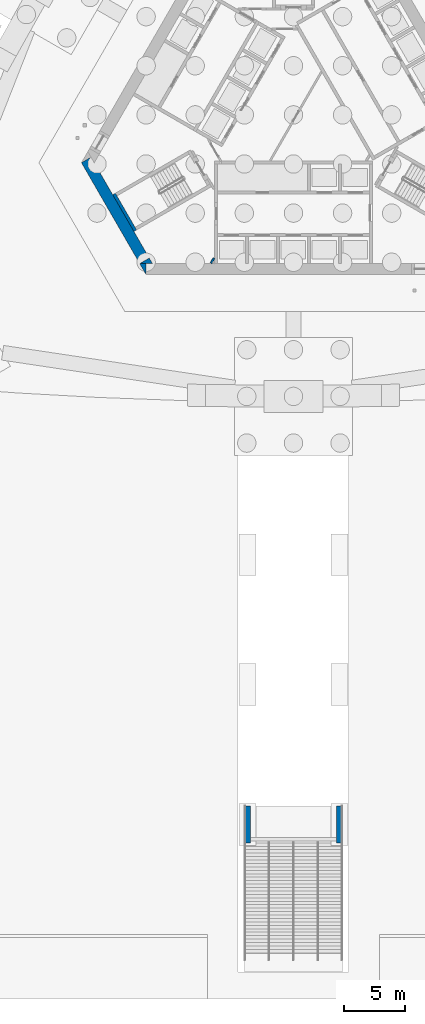
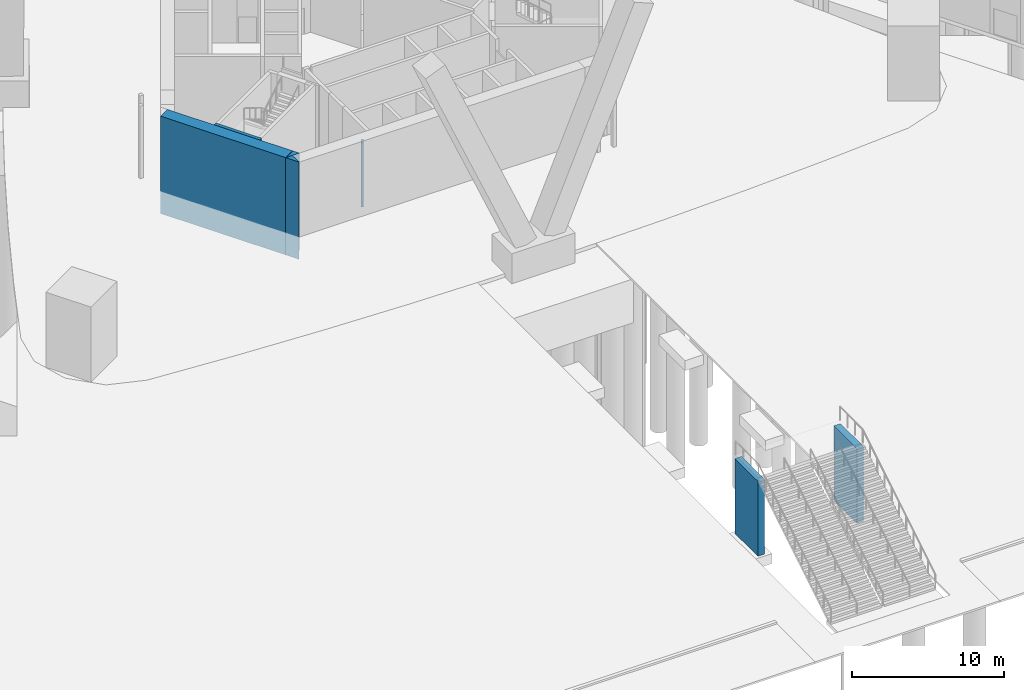
# One storey, part 11 of 38: 7 walls.
"""IFC4 building model written with IfcOpenShell, lengths in metres."""

from ifc_helpers import new_model, si_unit, direction, frame, frame_2d, origin, place, context, subcontext, project, spatial, polyline, rectangle, outline, extrude, material, layer, layer_set, type_object, element, save


model = new_model("IFC4")

# Units and contexts
model_context = context("Model", 3, precision=1e-05, world=origin(), true_north=direction((0.0, 1.0)))
body_context = subcontext(model_context, "Body", "Model", "MODEL_VIEW")
ifc_project = project(units=[si_unit("LENGTHUNIT", "METRE"), si_unit("AREAUNIT", "SQUARE_METRE"), si_unit("VOLUMEUNIT", "CUBIC_METRE"), si_unit("PLANEANGLEUNIT", "RADIAN"), si_unit("MASSUNIT", "GRAM", prefix="KILO")], contexts=[model_context])

# Site, building, storey
site_placement = place(None, origin())
site = spatial("IfcSite", under=ifc_project, at=site_placement, CompositionType="ELEMENT")
building_placement = place(site_placement, origin())
building = spatial("IfcBuilding", under=site, at=building_placement, Name="Mestral Congress Tower", CompositionType="ELEMENT")
storey_placement = place(building_placement, origin())
storey = spatial("IfcBuildingStorey", under=building, at=storey_placement, Name="L00", CompositionType="ELEMENT", Elevation=0.0)

# Walls
ifc_material_1 = material(Name="Fire-rated board partition")
ifc_layer_1 = layer(ifc_material_1, 0.14990234375)
ifc_layer_set_1 = layer_set([ifc_layer_1], Name="Fire-rated board partition")
wall_type_1 = type_object("IfcWallType", Name="Core partition 150", PredefinedType="PARTITIONING", material=ifc_layer_set_1)
wall_1_placement = place(storey_placement, frame((-6.707763671875, -12.068115234375, 0.0), z_axis=(0.0, 0.0, 1.0), x_axis=(0.500000789788, 0.8660249478, 0.0)))
element("IfcWall", 1, at=wall_1_placement, inside=storey, type_object=wall_type_1, Name="L00 core wall", PredefinedType="PARTITIONING", context=body_context, shape_type="SweptSolid", body=[
    extrude(rectangle(XDim=0.45556640625, YDim=0.14990234375, at=frame_2d((0.227783203125, 0.0))), origin(), (0.0, 0.0, 1.0), 5.10009765625),
])
ifc_material_2 = material(Name="Concrete C60/75", Category="concrete")
ifc_layer_2 = layer(ifc_material_2, 0.89990234375)
ifc_layer_set_2 = layer_set([ifc_layer_2], Name="Concrete C60/75")
wall_type_2 = type_object("IfcWallType", Name="Core wall RC 900", PredefinedType="SOLIDWALL", material=ifc_layer_set_2)
placement = place(storey_placement, frame((0.0, 0.0, -1.800048828125)))
element("IfcWall", 2, at=placement, inside=storey, type_object=wall_type_2, Name="L00 core wall", PredefinedType="SOLIDWALL", context=body_context, shape_type="SweptSolid", body=[
    extrude(outline(polyline([(-12.528564453125, -12.10009765625), (-12.0205078125, -12.10009765625), (-12.0205078125, -12.97998046875), (-12.528564453125, -12.10009765625)])), origin(), (0.0, 0.0, 1.0), 7.800048828125),
])
wall_3_placement = place(storey_placement, frame((-12.134033203125, -11.88330078125, -1.800048828125), z_axis=(0.0, 0.0, 1.0), x_axis=(-0.500005339912, 0.866022320763, 0.0)))
element("IfcWall", 3, at=wall_3_placement, inside=storey, type_object=wall_type_2, Name="L00 core wall", PredefinedType="SOLIDWALL", context=body_context, shape_type="SweptSolid", body=[
    extrude(rectangle(XDim=9.48779296875, YDim=0.89990234375, at=frame_2d((4.743896484375, 0.0))), origin(), (0.0, 0.0, 1.0), 7.800048828125),
])
element("IfcWall", 4, at=placement, inside=storey, type_object=wall_type_2, Name="L00 core wall", PredefinedType="SOLIDWALL", context=body_context, shape_type="SweptSolid", body=[
    extrude(outline(polyline([(-11.4892578125, -12.10009765625), (-12.50537109375, -12.10009765625), (-11.743408203125, -11.66015625), (-11.4892578125, -12.10009765625)])), origin(), (0.0, 0.0, 1.0), 7.800048828125),
])
ifc_material_3 = material(Name="Concrete C35/45", Category="concrete")
ifc_layer_3 = layer(ifc_material_3, 0.5)
ifc_layer_set_3 = layer_set([ifc_layer_3], Name="Concrete C35/45")
wall_type_3 = type_object("IfcWallType", Name="Stair support wall 500 C35/45", PredefinedType="SOLIDWALL", material=ifc_layer_set_3)
for number, where, z_axis, x_axis, name in (
    (5, (-3.75, -59.2880859375, -0.300048828125), (0.0, 0.0, 1.0), (0.0, 1.0, 0.0), "WL-TERR-3-W"),
    (6, (3.75, -59.2880859375, -0.300048828125), (0.0, 0.0, 1.0), (0.0, 1.0, 0.0), "WL-TERR-3-E"),
):
    element("IfcWall", number, at=place(storey_placement, frame(where, z_axis=z_axis, x_axis=x_axis)), inside=storey, type_object=wall_type_3, Name=name, PredefinedType="SOLIDWALL", context=body_context, shape_type="SweptSolid", body=[
        extrude(rectangle(XDim=3.0, YDim=0.5, at=frame_2d((1.5, 0.0))), origin(), (0.0, 0.0, 1.0), 6.0),
    ])
ifc_layer_4 = layer(ifc_material_2, 0.25)
ifc_layer_set_4 = layer_set([ifc_layer_4], Name="Concrete C60/75")
wall_type_4 = type_object("IfcWallType", Name="Stair wall RC 250", PredefinedType="SOLIDWALL", material=ifc_layer_set_4)
wall_5_placement = place(storey_placement, frame((-12.885498046875, -9.431396484375, 0.0), z_axis=(0.0, 0.0, 1.0), x_axis=(-0.500020560727, 0.866013532718, 0.0)))
element("IfcWall", 7, at=wall_5_placement, inside=storey, type_object=wall_type_4, Name="L00 core wall", PredefinedType="SOLIDWALL", context=body_context, shape_type="SweptSolid", body=[
    extrude(rectangle(XDim=3.449951171875, YDim=0.25, at=frame_2d((1.72509765625, 0.0))), origin(), (0.0, 0.0, 1.0), 6.0),
])

save(model, "model.ifc")
